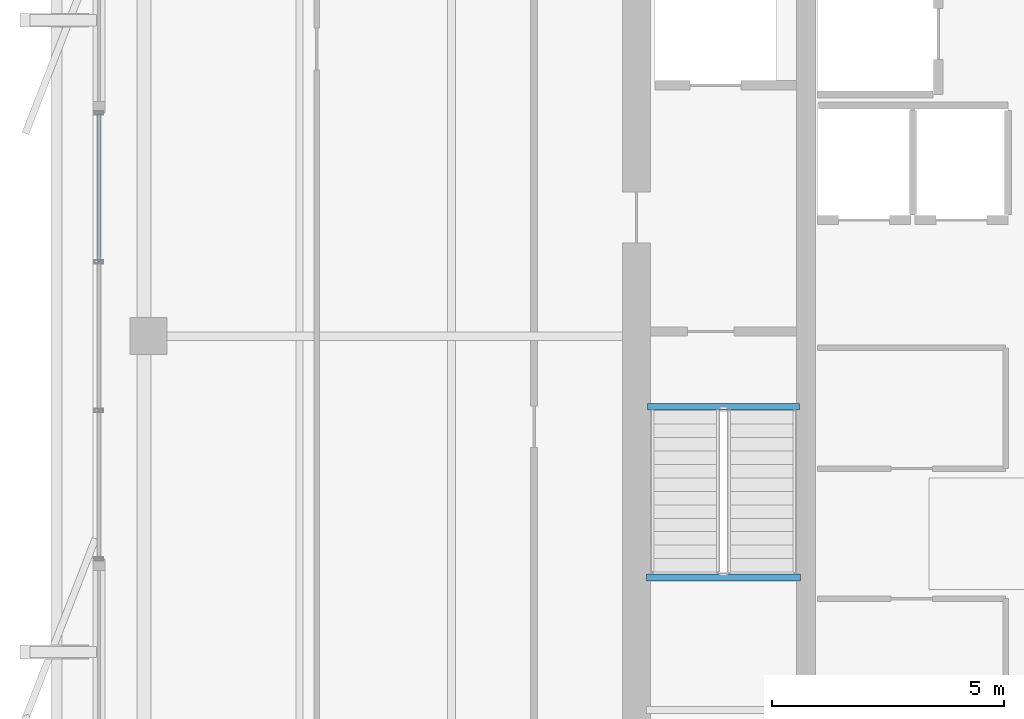
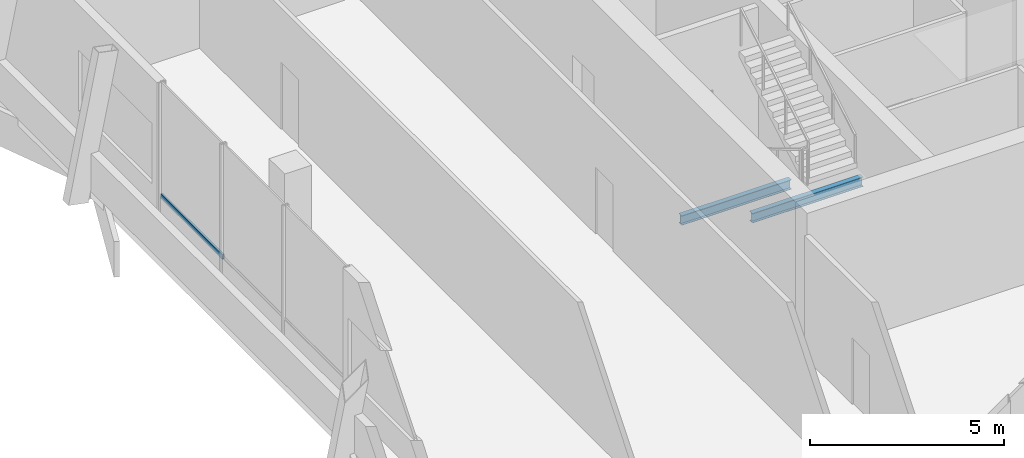
# One storey, part 5 of 17: 2 beams, 1 member, 1 element without a shape of its own.
"""IFC4 building model written with IfcOpenShell, lengths in metres."""

from ifc_helpers import new_model, si_unit, direction, frame, origin, origin_2d, place, context, subcontext, project, spatial, hollow_rectangle, i_section, extrude, material, layer, layer_set, material_profile, profile_set, type_object, element, aggregate, save


model = new_model("IFC4")

# Units and contexts
model_context = context("Model", 3, precision=1e-05, world=origin(), true_north=direction((0.0, 1.0)))
body_context = subcontext(model_context, "Body", "Model", "MODEL_VIEW")
ifc_project = project(units=[si_unit("LENGTHUNIT", "METRE"), si_unit("AREAUNIT", "SQUARE_METRE"), si_unit("VOLUMEUNIT", "CUBIC_METRE"), si_unit("PLANEANGLEUNIT", "RADIAN"), si_unit("MASSUNIT", "GRAM", prefix="KILO")], contexts=[model_context])

# Site, building, storey
site_placement = place(None, origin())
site = spatial("IfcSite", under=ifc_project, at=site_placement, CompositionType="ELEMENT")
building_placement = place(site_placement, origin())
building = spatial("IfcBuilding", under=site, at=building_placement, Name="Belovzor Exchange Tower", CompositionType="ELEMENT")
storey_placement = place(building_placement, frame((0.0, 0.0, 355.5)))
storey = spatial("IfcBuildingStorey", under=building, at=storey_placement, Name="L89", CompositionType="ELEMENT", Elevation=355.5)

# Beams
ifc_material_1 = material(Name="Steel S355", Category="steel")
ifc_material_profile_1 = material_profile(ifc_material_1, i_section(OverallWidth=0.14990234375, OverallDepth=0.300048828125, WebThickness=0.007080078125, FlangeThickness=0.0107421875, at=origin_2d()))
ifc_profile_set_1 = profile_set([ifc_material_profile_1], Name="Steel S355")
beam_type = type_object("IfcBeamType", Name="Secondary Trim Floor Joist IPE 300", PredefinedType="BEAM", material=ifc_profile_set_1)
beam_1_placement = place(storey_placement, frame((20.320068359375, 23.60009765625, 1.89990234375), z_axis=(1.0, 0.0, 0.0), x_axis=(0.0, 1.0, 0.0)))
element("IfcBeam", 1, at=beam_1_placement, inside=storey, type_object=beam_type, Name="FJ-300 Secondary Trim Floor Joist IPE 300", PredefinedType="BEAM", context=body_context, shape_type="SweptSolid", body=[
    extrude(i_section(OverallWidth=0.14990234375, OverallDepth=0.300048828125, WebThickness=0.007080078125, FlangeThickness=0.0107421875, at=origin_2d()), origin(), (0.0, 0.0, 1.0), 3.309814453125),
])
beam_2_placement = place(storey_placement, frame((20.340087890625, 27.280029296875, -0.409912109375), z_axis=(1.0, 0.0, 0.0), x_axis=(0.0, 1.0, 0.0)))
element("IfcBeam", 2, at=beam_2_placement, inside=storey, type_object=beam_type, Name="FJ-300 Secondary Trim Floor Joist IPE 300", PredefinedType="BEAM", context=body_context, shape_type="SweptSolid", body=[
    extrude(i_section(OverallWidth=0.14990234375, OverallDepth=0.300048828125, WebThickness=0.007080078125, FlangeThickness=0.0107421875, at=origin_2d()), origin(), (0.0, 0.0, 1.0), 3.27001953125),
])

# Curtain wall, member
ifc_material_2 = material(Name="Anodised Aluminium Framing", Category="aluminium")
ifc_layer = layer(ifc_material_2, 0.169921875)
ifc_layer_set = layer_set([ifc_layer], Name="Anodised Aluminium Framing")
curtain_wall_type = type_object("IfcCurtainWallType", Name="Stepped Crown Faceted Lantern Curtain Wall", PredefinedType="NOTDEFINED", material=ifc_layer_set)
curtain_wall_placement = place(storey_placement, origin())
curtain_wall = element("IfcCurtainWall", 3, at=curtain_wall_placement, inside=storey, type_object=curtain_wall_type, Name="CW6 Stepped Crown Faceted Lantern Curtain Wall L89", PredefinedType="NOTDEFINED")
ifc_material_3 = material(Name="Steel S355", Category="steel")
ifc_material_profile_2 = material_profile(ifc_material_3, hollow_rectangle(XDim=0.06005859375, YDim=0.14990234375, WallThickness=0.00390625, at=origin_2d()))
ifc_profile_set_2 = profile_set([ifc_material_profile_2], Name="Steel S355")
member_type = type_object("IfcMemberType", Name="Thermally Broken Curtain Wall Transom 150x60", PredefinedType="USERDEFINED", material=ifc_profile_set_2)
member_placement = place(storey_placement, frame((8.530029296875, 30.407958984375, 0.64990234375), z_axis=(0.0, 1.0, 0.0), x_axis=(-1.0, 0.0, 0.0)))
member = element("IfcMember", 4, at=member_placement, type_object=member_type, Name="CW-T150 Curtain Wall Transom 3", ObjectType="TRANSOM", PredefinedType="USERDEFINED", context=body_context, shape_type="SweptSolid", body=[
    extrude(hollow_rectangle(XDim=0.06005859375, YDim=0.14990234375, WallThickness=0.00390625, at=origin_2d()), origin(), (0.0, 0.0, 1.0), 3.18408203125),
])
aggregate(curtain_wall, [member])

save(model, "model.ifc")
